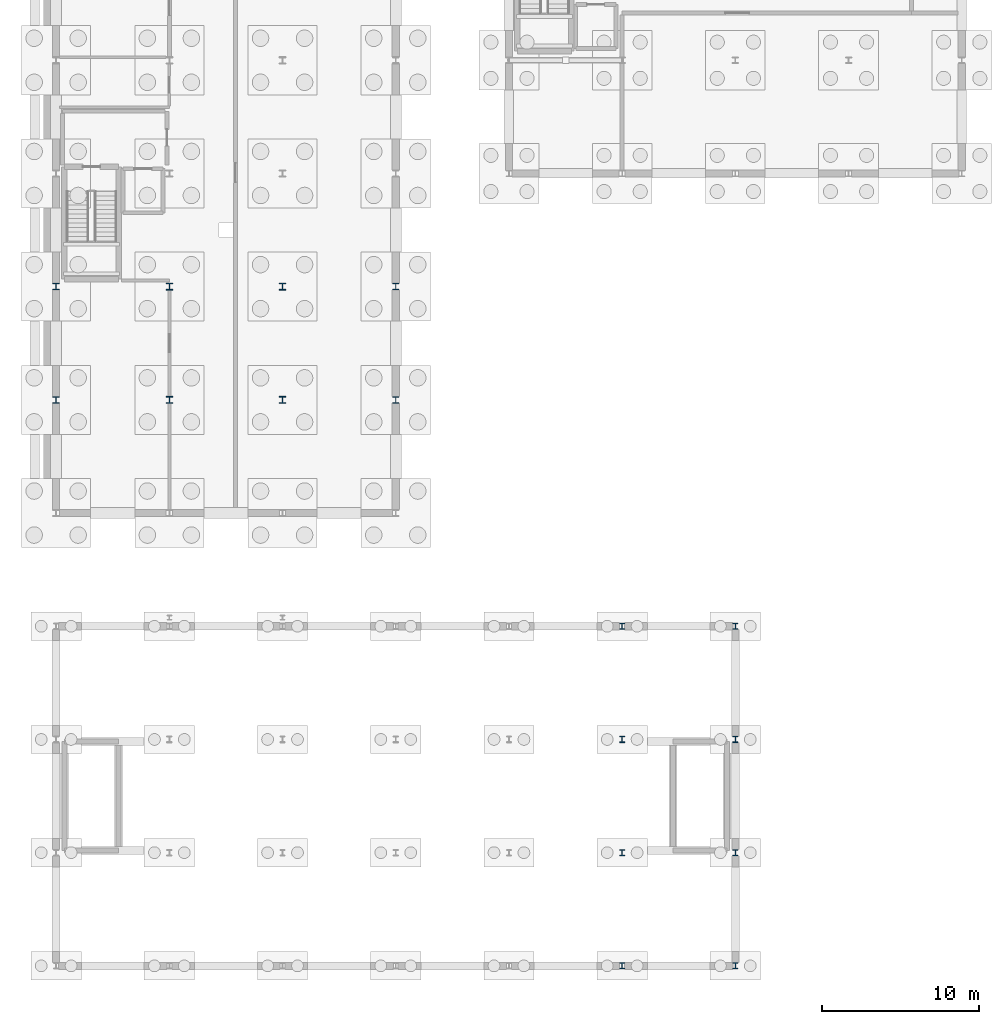
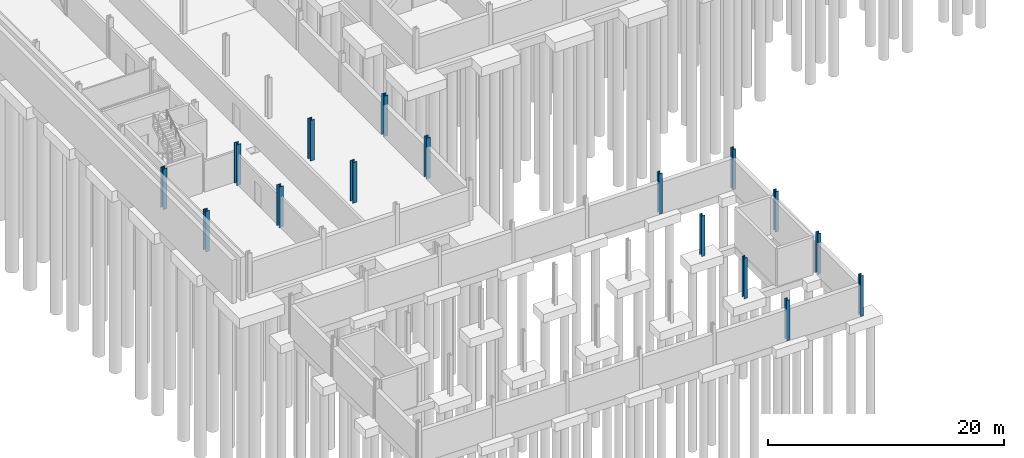
# One storey, part 9 of 50: 16 columns.
"""IFC4 building model written with IfcOpenShell, lengths in metres."""

from ifc_helpers import new_model, si_unit, direction, frame, origin, origin_2d, place, context, subcontext, project, spatial, i_section, extrude, material, material_profile, profile_set, type_object, element, save


model = new_model("IFC4")

# Units and contexts
model_context = context("Model", 3, precision=1e-05, world=origin(), true_north=direction((0.0, 1.0)))
body_context = subcontext(model_context, "Body", "Model", "MODEL_VIEW")
ifc_project = project(units=[si_unit("LENGTHUNIT", "METRE"), si_unit("AREAUNIT", "SQUARE_METRE"), si_unit("VOLUMEUNIT", "CUBIC_METRE"), si_unit("PLANEANGLEUNIT", "RADIAN"), si_unit("MASSUNIT", "GRAM", prefix="KILO")], contexts=[model_context])

# Site, building, storey
site_placement = place(None, origin())
site = spatial("IfcSite", under=ifc_project, at=site_placement, CompositionType="ELEMENT")
building_placement = place(site_placement, origin())
building = spatial("IfcBuilding", under=site, at=building_placement, Name="Narikvali Park Central Library", CompositionType="ELEMENT")
storey_placement = place(building_placement, frame((0.0, 0.0, -4.199951171875)))
storey = spatial("IfcBuildingStorey", under=building, at=storey_placement, Name="B1", CompositionType="ELEMENT", Elevation=-4.199951171875)

# Columns
ifc_material = material(Name="Steel S355", Category="steel")
ifc_material_profile_1 = material_profile(ifc_material, i_section(OverallWidth=0.412109375, OverallDepth=0.43505859375, WebThickness=0.02490234375, FlangeThickness=0.0419921875, FilletRadius=0.014892578125, at=origin_2d()), Name="HD 400x463")
ifc_profile_set_1 = profile_set([ifc_material_profile_1], Name="Steel S355")
column_type_1 = type_object("IfcColumnType", Name="Heavy Archive Column HD400x463", PredefinedType="COLUMN", material=ifc_profile_set_1)
for number, where, z_axis, x_axis, name in (
    (1, (7.199951171875, 36.0, 0.0), (0.0, 0.0, 1.0), (1.0, 0.0, 0.0), "V5 B1 Column (7.2,36.0)"),
    (2, (7.199951171875, 43.199951171875, 0.0), (0.0, 0.0, 1.0), (1.0, 0.0, 0.0), "V5 B1 Column (7.2,43.2)"),
    (3, (14.39990234375, 36.0, 0.0), (0.0, 0.0, 1.0), (1.0, 0.0, 0.0), "V5 B1 Column (14.4,36.0)"),
    (4, (14.39990234375, 43.199951171875, 0.0), (0.0, 0.0, 1.0), (1.0, 0.0, 0.0), "V5 B1 Column (14.4,43.2)"),
):
    element("IfcColumn", number, at=place(storey_placement, frame(where, z_axis=z_axis, x_axis=x_axis)), inside=storey, type_object=column_type_1, Name=name, PredefinedType="COLUMN", context=body_context, shape_type="SweptSolid", body=[
        extrude(i_section(OverallWidth=0.412109375, OverallDepth=0.43505859375, WebThickness=0.02490234375, FlangeThickness=0.0419921875, FilletRadius=0.014892578125, at=origin_2d()), origin(), (0.0, 0.0, 1.0), 4.199951171875),
    ])
ifc_material_profile_2 = material_profile(ifc_material, i_section(OverallWidth=0.406005859375, OverallDepth=0.416015625, WebThickness=0.021484375, FlangeThickness=0.034423828125, FilletRadius=0.014892578125, at=origin_2d()), Name="HD 400x382")
ifc_profile_set_2 = profile_set([ifc_material_profile_2], Name="Steel S355")
column_type_2 = type_object("IfcColumnType", Name="Steel Column HD400x382", PredefinedType="COLUMN", material=ifc_profile_set_2)
for number, where, z_axis, x_axis, name in (
    (5, (0.0, 36.0, 0.0), (0.0, 0.0, 1.0), (1.0, 0.0, 0.0), "V5 B1 Column (0.0,36.0)"),
    (6, (0.0, 43.199951171875, 0.0), (0.0, 0.0, 1.0), (1.0, 0.0, 0.0), "V5 B1 Column (0.0,43.2)"),
    (7, (21.60009765625, 36.0, 0.0), (0.0, 0.0, 1.0), (1.0, 0.0, 0.0), "V5 B1 Column (21.6,36.0)"),
    (8, (21.60009765625, 43.199951171875, 0.0), (0.0, 0.0, 1.0), (1.0, 0.0, 0.0), "V5 B1 Column (21.6,43.2)"),
):
    element("IfcColumn", number, at=place(storey_placement, frame(where, z_axis=z_axis, x_axis=x_axis)), inside=storey, type_object=column_type_2, Name=name, PredefinedType="COLUMN", context=body_context, shape_type="SweptSolid", body=[
        extrude(i_section(OverallWidth=0.406005859375, OverallDepth=0.416015625, WebThickness=0.021484375, FlangeThickness=0.034423828125, FilletRadius=0.014892578125, at=origin_2d()), origin(), (0.0, 0.0, 1.0), 4.199951171875),
    ])
ifc_material_profile_3 = material_profile(ifc_material, i_section(OverallWidth=0.30810546875, OverallDepth=0.39501953125, WebThickness=0.02099609375, FlangeThickness=0.035888671875, FilletRadius=0.027099609375, at=origin_2d()), Name="HEM 360")
ifc_profile_set_3 = profile_set([ifc_material_profile_3], Name="Steel S355")
column_type_3 = type_object("IfcColumnType", Name="Steel Column HEM360", PredefinedType="COLUMN", material=ifc_profile_set_3)
for number, where, z_axis, x_axis, name in (
    (9, (36.0, 0.0, 0.0), (0.0, 0.0, 1.0), (1.0, 0.0, 0.0), "V2 B1 Foundation Column (36.0,0.0)"),
    (10, (36.0, 7.199951171875, 0.0), (0.0, 0.0, 1.0), (1.0, 0.0, 0.0), "V2 B1 Foundation Column (36.0,7.2)"),
    (11, (36.0, 14.39990234375, 0.0), (0.0, 0.0, 1.0), (1.0, 0.0, 0.0), "V2 B1 Foundation Column (36.0,14.4)"),
    (12, (36.0, 21.60009765625, 0.0), (0.0, 0.0, 1.0), (1.0, 0.0, 0.0), "V2 B1 Foundation Column (36.0,21.6)"),
    (13, (43.199951171875, 0.0, 0.0), (0.0, 0.0, 1.0), (1.0, 0.0, 0.0), "V2 B1 Foundation Column (43.2,0.0)"),
    (14, (43.199951171875, 7.199951171875, 0.0), (0.0, 0.0, 1.0), (1.0, 0.0, 0.0), "V2 B1 Foundation Column (43.2,7.2)"),
    (15, (43.199951171875, 14.39990234375, 0.0), (0.0, 0.0, 1.0), (1.0, 0.0, 0.0), "V2 B1 Foundation Column (43.2,14.4)"),
    (16, (43.199951171875, 21.60009765625, 0.0), (0.0, 0.0, 1.0), (1.0, 0.0, 0.0), "V2 B1 Foundation Column (43.2,21.6)"),
):
    element("IfcColumn", number, at=place(storey_placement, frame(where, z_axis=z_axis, x_axis=x_axis)), inside=storey, type_object=column_type_3, Name=name, PredefinedType="COLUMN", context=body_context, shape_type="SweptSolid", body=[
        extrude(i_section(OverallWidth=0.30810546875, OverallDepth=0.39501953125, WebThickness=0.02099609375, FlangeThickness=0.035888671875, FilletRadius=0.027099609375, at=origin_2d()), origin(), (0.0, 0.0, 1.0), 4.199951171875),
    ])

save(model, "model.ifc")
